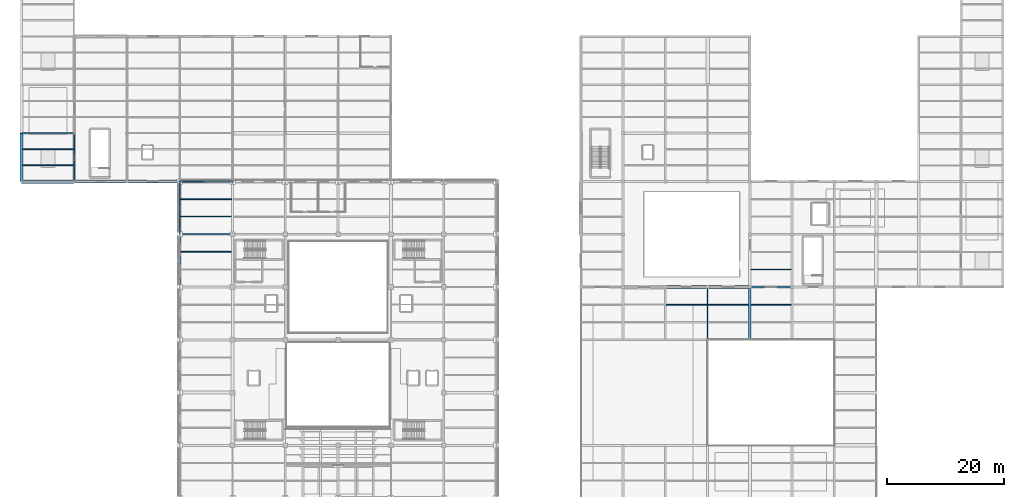
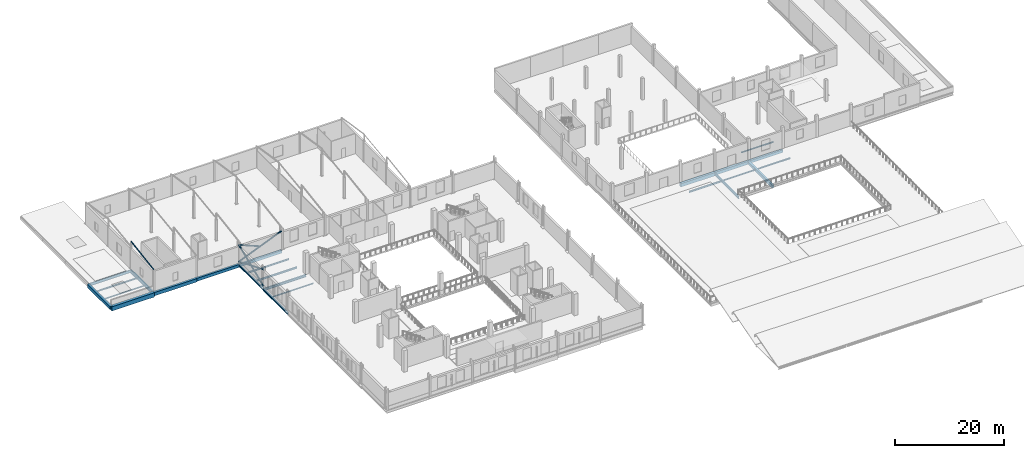
# One storey, part 11 of 54: 24 beams, 6 members.
"""IFC4 building model written with IfcOpenShell, lengths in metres."""

from ifc_helpers import new_model, si_unit, direction, frame, origin, origin_2d, place, context, subcontext, project, spatial, rectangle, hollow_rectangle, hollow_circle, i_section, extrude, material, material_profile, profile_set, type_object, element, save


model = new_model("IFC4")

# Units and contexts
model_context = context("Model", 3, precision=1e-05, world=origin(), true_north=direction((0.0, 1.0)))
body_context = subcontext(model_context, "Body", "Model", "MODEL_VIEW")
ifc_project = project(units=[si_unit("LENGTHUNIT", "METRE"), si_unit("AREAUNIT", "SQUARE_METRE"), si_unit("VOLUMEUNIT", "CUBIC_METRE"), si_unit("PLANEANGLEUNIT", "RADIAN"), si_unit("MASSUNIT", "GRAM", prefix="KILO")], contexts=[model_context])

# Site, building, storey
site_placement = place(None, origin())
site = spatial("IfcSite", under=ifc_project, at=site_placement, CompositionType="ELEMENT")
building_placement = place(site_placement, origin())
building = spatial("IfcBuilding", under=site, at=building_placement, Name="Sundgate Opera House", CompositionType="ELEMENT")
storey_placement = place(building_placement, frame((0.0, 0.0, 16.800048828125)))
storey = spatial("IfcBuildingStorey", under=building, at=storey_placement, Name="L03", CompositionType="ELEMENT", Elevation=16.800048828125)

# Beams
ifc_material_1 = material(Name="Steel S355J2", Category="steel")
ifc_material_profile_1 = material_profile(ifc_material_1, i_section(OverallWidth=0.300048828125, OverallDepth=0.35009765625, WebThickness=0.010009765625, FlangeThickness=0.017578125, at=origin_2d()), Name="HEA 360")
ifc_profile_set_1 = profile_set([ifc_material_profile_1], Name="Steel S355J2")
beam_type_1 = type_object("IfcBeamType", Name="BM-GR-HEA360", PredefinedType="BEAM", material=ifc_profile_set_1)
beam_1_placement = place(storey_placement, frame((27.0, 78.0, -0.455078125), z_axis=(0.0, 1.0, 0.0), x_axis=(-1.0, 0.0, 0.0)))
element("IfcBeam", 1, at=beam_1_placement, inside=storey, type_object=beam_type_1, Name="L03 Primary N-S Girder B2467", PredefinedType="BEAM", context=body_context, shape_type="SweptSolid", body=[
    extrude(i_section(OverallWidth=0.300048828125, OverallDepth=0.35009765625, WebThickness=0.010009765625, FlangeThickness=0.017578125, at=origin_2d()), origin(), (0.0, 0.0, 1.0), 9.0),
])
ifc_material_2 = material(Name="Steel S355J2", Category="steel")
ifc_material_profile_2 = material_profile(ifc_material_2, i_section(OverallWidth=0.300048828125, OverallDepth=0.389892578125, WebThickness=0.010986328125, FlangeThickness=0.01904296875, at=origin_2d()), Name="HEA 400")
ifc_profile_set_2 = profile_set([ifc_material_profile_2], Name="Steel S355J2")
beam_type_2 = type_object("IfcBeamType", Name="BM-GR-HEA400", PredefinedType="BEAM", material=ifc_profile_set_2)
beam_2_placement = place(storey_placement, frame((27.0, 69.0, -0.47509765625), z_axis=(0.0, 1.0, 0.0), x_axis=(-1.0, 0.0, 0.0)))
element("IfcBeam", 2, at=beam_2_placement, inside=storey, type_object=beam_type_2, Name="L03 Primary N-S Girder B2466", PredefinedType="BEAM", context=body_context, shape_type="SweptSolid", body=[
    extrude(i_section(OverallWidth=0.300048828125, OverallDepth=0.389892578125, WebThickness=0.010986328125, FlangeThickness=0.01904296875, at=origin_2d()), origin(), (0.0, 0.0, 1.0), 9.0),
])
ifc_material_3 = material(Name="Steel S355J2", Category="steel")
ifc_material_profile_3 = material_profile(ifc_material_3, i_section(OverallWidth=0.300048828125, OverallDepth=0.5, WebThickness=0.014404296875, FlangeThickness=0.028076171875, at=origin_2d()), Name="HEB 500")
ifc_profile_set_3 = profile_set([ifc_material_profile_3], Name="Steel S355J2")
beam_type_3 = type_object("IfcBeamType", Name="BM-GR-HEB500", PredefinedType="BEAM", material=ifc_profile_set_3)
beam_3_placement = place(storey_placement, frame((27.0, 78.0, -0.530029296875), z_axis=(1.0, 0.0, 0.0), x_axis=(0.0, 1.0, 0.0)))
element("IfcBeam", 3, at=beam_3_placement, inside=storey, type_object=beam_type_3, Name="L03 Primary E-W Girder B2635", PredefinedType="BEAM", context=body_context, shape_type="SweptSolid", body=[
    extrude(i_section(OverallWidth=0.300048828125, OverallDepth=0.5, WebThickness=0.014404296875, FlangeThickness=0.028076171875, at=origin_2d()), origin(), (0.0, 0.0, 1.0), 9.0),
])
ifc_material_4 = material(Name="Steel S355J2", Category="steel")
ifc_material_profile_4 = material_profile(ifc_material_4, i_section(OverallWidth=0.300048828125, OverallDepth=0.699951171875, WebThickness=0.01708984375, FlangeThickness=0.031982421875, at=origin_2d()), Name="HEB 700")
ifc_profile_set_4 = profile_set([ifc_material_profile_4], Name="Steel S355J2")
beam_type_4 = type_object("IfcBeamType", Name="BM-GR-HEB700", PredefinedType="BEAM", material=ifc_profile_set_4)
beam_4_placement = place(storey_placement, frame((9.0, 87.0, -0.590087890625), z_axis=(0.0, 1.0, 0.0), x_axis=(-1.0, 0.0, 0.0)))
element("IfcBeam", 4, at=beam_4_placement, inside=storey, type_object=beam_type_4, Name="L03 Primary N-S Girder B2455", PredefinedType="BEAM", context=body_context, shape_type="SweptSolid", body=[
    extrude(i_section(OverallWidth=0.300048828125, OverallDepth=0.699951171875, WebThickness=0.01708984375, FlangeThickness=0.031982421875, at=origin_2d()), origin(), (0.0, 0.0, 1.0), 8.25),
])
ifc_material_5 = material(Name="Steel S355J2", Category="steel")
ifc_material_profile_5 = material_profile(ifc_material_5, i_section(OverallWidth=0.219970703125, OverallDepth=0.60009765625, WebThickness=0.011962890625, FlangeThickness=0.01904296875, at=origin_2d()), Name="IPE 600")
ifc_profile_set_5 = profile_set([ifc_material_profile_5], Name="Steel S355J2")
beam_type_5 = type_object("IfcBeamType", Name="BM-GR-IPE600", PredefinedType="BEAM", material=ifc_profile_set_5)
for number, where, z_axis, x_axis, name in (
    (5, (117.0, 60.0, -0.610107421875), (0.0, 1.0, 0.0), (-1.0, 0.0, 0.0), "L03 Primary N-S Girder B2535"),
    (6, (0.0, 95.25, -0.530029296875), (1.0, 0.0, 0.0), (0.0, 1.0, 0.0), "L03 Primary E-W Girder B2667"),
):
    element("IfcBeam", number, at=place(storey_placement, frame(where, z_axis=z_axis, x_axis=x_axis)), inside=storey, type_object=beam_type_5, Name=name, PredefinedType="BEAM", context=body_context, shape_type="SweptSolid", body=[
        extrude(i_section(OverallWidth=0.219970703125, OverallDepth=0.60009765625, WebThickness=0.011962890625, FlangeThickness=0.01904296875, at=origin_2d()), origin(), (0.0, 0.0, 1.0), 9.0),
    ])
ifc_material_6 = material(Name="Steel S355J2", Category="steel")
ifc_material_profile_6 = material_profile(ifc_material_6, i_section(OverallWidth=0.1201171875, OverallDepth=0.239990234375, WebThickness=0.006103515625, FlangeThickness=0.009765625, at=origin_2d()), Name="IPE 240")
ifc_profile_set_6 = profile_set([ifc_material_profile_6], Name="Steel S355J2")
beam_type_6 = type_object("IfcBeamType", Name="BM-JS-IPE240", PredefinedType="JOIST", material=ifc_profile_set_6)
beam_5_placement = place(storey_placement, frame((124.425048828125, 66.0, -0.429931640625), z_axis=(1.0, 0.0, 0.0), x_axis=(0.0, 1.0, 0.0)))
element("IfcBeam", 7, at=beam_5_placement, inside=storey, type_object=beam_type_6, Name="L03 Secondary Floor Joist B2761", PredefinedType="JOIST", context=body_context, shape_type="SweptSolid", body=[
    extrude(i_section(OverallWidth=0.1201171875, OverallDepth=0.239990234375, WebThickness=0.006103515625, FlangeThickness=0.009765625, at=origin_2d()), origin(), (0.0, 0.0, 1.0), 6.824951171875),
])
beam_6_placement = place(storey_placement, frame((0.25, 92.5, -0.35009765625), z_axis=(1.0, 0.0, 0.0), x_axis=(0.0, 1.0, 0.0)))
element("IfcBeam", 8, at=beam_6_placement, inside=storey, type_object=beam_type_6, Name="L03 Secondary Floor Joist B2810", PredefinedType="JOIST", context=body_context, shape_type="SweptSolid", body=[
    extrude(i_section(OverallWidth=0.1201171875, OverallDepth=0.239990234375, WebThickness=0.006103515625, FlangeThickness=0.009765625, at=origin_2d()), origin(), (0.0, 0.0, 1.0), 8.60009765625),
])
ifc_material_7 = material(Name="Steel S355J2", Category="steel")
ifc_material_profile_7 = material_profile(ifc_material_7, i_section(OverallWidth=0.135009765625, OverallDepth=0.27001953125, WebThickness=0.006591796875, FlangeThickness=0.01025390625, at=origin_2d()), Name="IPE 270")
ifc_profile_set_7 = profile_set([ifc_material_profile_7], Name="Steel S355J2")
beam_type_7 = type_object("IfcBeamType", Name="BM-JS-IPE270", PredefinedType="JOIST", material=ifc_profile_set_7)
beam_7_placement = place(storey_placement, frame((27.14990234375, 75.0, -0.4150390625), z_axis=(1.0, 0.0, 0.0), x_axis=(0.0, 1.0, 0.0)))
element("IfcBeam", 9, at=beam_7_placement, inside=storey, type_object=beam_type_7, Name="L03 Secondary Floor Joist B2767", PredefinedType="JOIST", context=body_context, shape_type="SweptSolid", body=[
    extrude(i_section(OverallWidth=0.135009765625, OverallDepth=0.27001953125, WebThickness=0.006591796875, FlangeThickness=0.01025390625, at=origin_2d()), origin(), (0.0, 0.0, 1.0), 8.650146484375),
])
beam_8_placement = place(storey_placement, frame((124.39990234375, 72.0, -0.4150390625), z_axis=(1.0, 0.0, 0.0), x_axis=(0.0, 1.0, 0.0)))
element("IfcBeam", 10, at=beam_8_placement, inside=storey, type_object=beam_type_7, Name="L03 Secondary Floor Joist B2774", PredefinedType="JOIST", context=body_context, shape_type="SweptSolid", body=[
    extrude(i_section(OverallWidth=0.135009765625, OverallDepth=0.27001953125, WebThickness=0.006591796875, FlangeThickness=0.01025390625, at=origin_2d()), origin(), (0.0, 0.0, 1.0), 6.85009765625),
])
beam_9_placement = place(storey_placement, frame((0.25, 89.75, -0.364990234375), z_axis=(1.0, 0.0, 0.0), x_axis=(0.0, 1.0, 0.0)))
element("IfcBeam", 11, at=beam_9_placement, inside=storey, type_object=beam_type_7, Name="L03 Secondary Floor Joist B2809", PredefinedType="JOIST", context=body_context, shape_type="SweptSolid", body=[
    extrude(i_section(OverallWidth=0.135009765625, OverallDepth=0.27001953125, WebThickness=0.006591796875, FlangeThickness=0.01025390625, at=origin_2d()), origin(), (0.0, 0.0, 1.0), 8.60009765625),
])
ifc_material_8 = material(Name="Steel S355J2", Category="steel")
ifc_material_profile_8 = material_profile(ifc_material_8, i_section(OverallWidth=0.14990234375, OverallDepth=0.300048828125, WebThickness=0.007080078125, FlangeThickness=0.0107421875, at=origin_2d()), Name="IPE 300")
ifc_profile_set_8 = profile_set([ifc_material_profile_8], Name="Steel S355J2")
beam_type_8 = type_object("IfcBeamType", Name="BM-JS-IPE300", PredefinedType="JOIST", material=ifc_profile_set_8)
beam_10_placement = place(storey_placement, frame((117.110107421875, 66.0, -0.4599609375), z_axis=(1.0, 0.0, 0.0), x_axis=(0.0, 1.0, 0.0)))
element("IfcBeam", 12, at=beam_10_placement, inside=storey, type_object=beam_type_8, Name="L03 Secondary Floor Joist B2759", PredefinedType="JOIST", context=body_context, shape_type="SweptSolid", body=[
    extrude(i_section(OverallWidth=0.14990234375, OverallDepth=0.300048828125, WebThickness=0.007080078125, FlangeThickness=0.0107421875, at=origin_2d()), origin(), (0.0, 0.0, 1.0), 6.864990234375),
])
ifc_material_9 = material(Name="Steel S355J2", Category="steel")
ifc_material_profile_9 = material_profile(ifc_material_9, i_section(OverallWidth=0.169921875, OverallDepth=0.360107421875, WebThickness=0.008056640625, FlangeThickness=0.0126953125, at=origin_2d()), Name="IPE 360")
ifc_profile_set_9 = profile_set([ifc_material_profile_9], Name="Steel S355J2")
beam_type_9 = type_object("IfcBeamType", Name="BM-JS-IPE360", PredefinedType="JOIST", material=ifc_profile_set_9)
beam_11_placement = place(storey_placement, frame((109.949951171875, 66.0, -0.489990234375), z_axis=(1.0, 0.0, 0.0), x_axis=(0.0, 1.0, 0.0)))
element("IfcBeam", 13, at=beam_11_placement, inside=storey, type_object=beam_type_9, Name="L03 Secondary Floor Joist B2757", PredefinedType="JOIST", context=body_context, shape_type="SweptSolid", body=[
    extrude(i_section(OverallWidth=0.169921875, OverallDepth=0.360107421875, WebThickness=0.008056640625, FlangeThickness=0.0126953125, at=origin_2d()), origin(), (0.0, 0.0, 1.0), 6.93994140625),
])
beam_12_placement = place(storey_placement, frame((27.14990234375, 84.0, -0.4599609375), z_axis=(1.0, 0.0, 0.0), x_axis=(0.0, 1.0, 0.0)))
element("IfcBeam", 14, at=beam_12_placement, inside=storey, type_object=beam_type_9, Name="L03 Secondary Floor Joist B2785", PredefinedType="JOIST", context=body_context, shape_type="SweptSolid", body=[
    extrude(i_section(OverallWidth=0.169921875, OverallDepth=0.360107421875, WebThickness=0.008056640625, FlangeThickness=0.0126953125, at=origin_2d()), origin(), (0.0, 0.0, 1.0), 8.675048828125),
])
ifc_material_10 = material(Name="Steel S355J2", Category="steel")
ifc_material_profile_10 = material_profile(ifc_material_10, i_section(OverallWidth=0.179931640625, OverallDepth=0.39990234375, WebThickness=0.008544921875, FlangeThickness=0.013427734375, at=origin_2d()), Name="IPE 400")
ifc_profile_set_10 = profile_set([ifc_material_profile_10], Name="Steel S355J2")
beam_type_10 = type_object("IfcBeamType", Name="BM-JS-IPE400", PredefinedType="JOIST", material=ifc_profile_set_10)
beam_13_placement = place(storey_placement, frame((27.14990234375, 81.0, -0.47998046875), z_axis=(1.0, 0.0, 0.0), x_axis=(0.0, 1.0, 0.0)))
element("IfcBeam", 15, at=beam_13_placement, inside=storey, type_object=beam_type_10, Name="L03 Secondary Floor Joist B2784", PredefinedType="JOIST", context=body_context, shape_type="SweptSolid", body=[
    extrude(i_section(OverallWidth=0.179931640625, OverallDepth=0.39990234375, WebThickness=0.008544921875, FlangeThickness=0.013427734375, at=origin_2d()), origin(), (0.0, 0.0, 1.0), 8.675048828125),
])
ifc_material_11 = material(Name="Concrete C35/45", Category="concrete")
ifc_material_profile_11 = material_profile(ifc_material_11, rectangle(XDim=0.39990234375, YDim=0.60009765625, at=origin_2d()), Name="RC 400x600")
ifc_profile_set_11 = profile_set([ifc_material_profile_11], Name="Concrete C35/45")
beam_type_11 = type_object("IfcBeamType", Name="BM-RC-400x600", PredefinedType="BEAM", material=ifc_profile_set_11)
beam_14_placement = place(storey_placement, frame((124.199951171875, 69.0, -0.610107421875), z_axis=(1.0, 0.0, 0.0), x_axis=(0.0, 1.0, 0.0)))
element("IfcBeam", 16, at=beam_14_placement, inside=storey, type_object=beam_type_11, Name="L03 Primary E-W Girder B2629", PredefinedType="BEAM", context=body_context, shape_type="SweptSolid", body=[
    extrude(rectangle(XDim=0.39990234375, YDim=0.60009765625, at=origin_2d()), origin(), (0.0, 0.0, 1.0), 7.199951171875),
])
beam_15_placement = place(storey_placement, frame((27.0, 87.0, -0.580078125), z_axis=(1.0, 0.0, 0.0), x_axis=(0.0, 1.0, 0.0)))
element("IfcBeam", 17, at=beam_15_placement, inside=storey, type_object=beam_type_11, Name="L03 Primary E-W Girder B2651", PredefinedType="BEAM", context=body_context, shape_type="SweptSolid", body=[
    extrude(rectangle(XDim=0.39990234375, YDim=0.60009765625, at=origin_2d()), origin(), (0.0, 0.0, 1.0), 9.0),
])
ifc_material_12 = material(Name="Concrete C35/45", Category="concrete")
ifc_material_profile_12 = material_profile(ifc_material_12, rectangle(XDim=0.449951171875, YDim=0.64990234375, at=origin_2d()), Name="RC 450x650")
ifc_profile_set_12 = profile_set([ifc_material_profile_12], Name="Concrete C35/45")
beam_type_12 = type_object("IfcBeamType", Name="BM-RC-450x650", PredefinedType="BEAM", material=ifc_profile_set_12)
beam_16_placement = place(storey_placement, frame((124.199951171875, 60.0, -0.635009765625), z_axis=(0.0, 1.0, 0.0), x_axis=(-1.0, 0.0, 0.0)))
element("IfcBeam", 18, at=beam_16_placement, inside=storey, type_object=beam_type_12, Name="L03 Primary N-S Girder B2540", PredefinedType="BEAM", context=body_context, shape_type="SweptSolid", body=[
    extrude(rectangle(XDim=0.449951171875, YDim=0.64990234375, at=origin_2d()), origin(), (0.0, 0.0, 1.0), 9.0),
])
beam_17_placement = place(storey_placement, frame((117.0, 69.0, -0.635009765625), z_axis=(1.0, 0.0, 0.0), x_axis=(0.0, 1.0, 0.0)))
element("IfcBeam", 19, at=beam_17_placement, inside=storey, type_object=beam_type_12, Name="L03 Primary E-W Girder B2628", PredefinedType="BEAM", context=body_context, shape_type="SweptSolid", body=[
    extrude(rectangle(XDim=0.449951171875, YDim=0.64990234375, at=origin_2d()), origin(), (0.0, 0.0, 1.0), 7.199951171875),
])
beam_18_placement = place(storey_placement, frame((18.0, 87.0, -0.56494140625), z_axis=(1.0, 0.0, 0.0), x_axis=(0.0, 1.0, 0.0)))
element("IfcBeam", 20, at=beam_18_placement, inside=storey, type_object=beam_type_12, Name="L03 Primary E-W Girder B2650", PredefinedType="BEAM", context=body_context, shape_type="SweptSolid", body=[
    extrude(rectangle(XDim=0.449951171875, YDim=0.64990234375, at=origin_2d()), origin(), (0.0, 0.0, 1.0), 9.0),
])
ifc_material_13 = material(Name="Concrete C40/50", Category="concrete")
ifc_material_profile_13 = material_profile(ifc_material_13, rectangle(XDim=0.5, YDim=0.75, at=origin_2d()), Name="RC 500x750")
ifc_profile_set_13 = profile_set([ifc_material_profile_13], Name="Concrete C40/50")
beam_type_13 = type_object("IfcBeamType", Name="BM-RC-500x750", PredefinedType="BEAM", material=ifc_profile_set_13)
beam_19_placement = place(storey_placement, frame((0.0, 87.0, -0.60498046875), z_axis=(0.0, 1.0, 0.0), x_axis=(-1.0, 0.0, 0.0)))
element("IfcBeam", 21, at=beam_19_placement, inside=storey, type_object=beam_type_13, Name="L03 Primary N-S Girder B2451", PredefinedType="BEAM", context=body_context, shape_type="SweptSolid", body=[
    extrude(rectangle(XDim=0.5, YDim=0.75, at=origin_2d()), origin(), (0.0, 0.0, 1.0), 8.25),
])
beam_20_placement = place(storey_placement, frame((109.800048828125, 69.0, -0.68505859375), z_axis=(1.0, 0.0, 0.0), x_axis=(0.0, 1.0, 0.0)))
element("IfcBeam", 22, at=beam_20_placement, inside=storey, type_object=beam_type_13, Name="L03 Primary E-W Girder B2627", PredefinedType="BEAM", context=body_context, shape_type="SweptSolid", body=[
    extrude(rectangle(XDim=0.5, YDim=0.75, at=origin_2d()), origin(), (0.0, 0.0, 1.0), 7.199951171875),
])
beam_21_placement = place(storey_placement, frame((9.0, 87.0, -0.614990234375), z_axis=(1.0, 0.0, 0.0), x_axis=(0.0, 1.0, 0.0)))
element("IfcBeam", 23, at=beam_21_placement, inside=storey, type_object=beam_type_13, Name="L03 Primary E-W Girder B2649", PredefinedType="BEAM", context=body_context, shape_type="SweptSolid", body=[
    extrude(rectangle(XDim=0.5, YDim=0.75, at=origin_2d()), origin(), (0.0, 0.0, 1.0), 9.0),
])
ifc_material_14 = material(Name="Concrete C40/50", Category="concrete")
ifc_material_profile_14 = material_profile(ifc_material_14, rectangle(XDim=0.60009765625, YDim=0.949951171875, at=origin_2d()), Name="RC 600x950")
ifc_profile_set_14 = profile_set([ifc_material_profile_14], Name="Concrete C40/50")
beam_type_14 = type_object("IfcBeamType", Name="BM-RC-600x950", PredefinedType="BEAM", material=ifc_profile_set_14)
beam_22_placement = place(storey_placement, frame((0.0, 87.0, -0.705078125), z_axis=(1.0, 0.0, 0.0), x_axis=(0.0, 1.0, 0.0)))
element("IfcBeam", 24, at=beam_22_placement, inside=storey, type_object=beam_type_14, Name="L03 Primary E-W Girder B2648", PredefinedType="BEAM", context=body_context, shape_type="SweptSolid", body=[
    extrude(rectangle(XDim=0.60009765625, YDim=0.949951171875, at=origin_2d()), origin(), (0.0, 0.0, 1.0), 9.0),
])

# Members
ifc_material_15 = material(Name="Steel S355J2", Category="steel")
ifc_material_profile_15 = material_profile(ifc_material_15, hollow_circle(Radius=0.161865234375, WallThickness=0.01611328125, at=origin_2d()), Name="CHS 323.9x16.0")
ifc_profile_set_15 = profile_set([ifc_material_profile_15], Name="Steel S355J2")
member_type_1 = type_object("IfcMemberType", Name="MB-BRC-CHS324", PredefinedType="BRACE", material=ifc_profile_set_15)
member_1_placement = place(storey_placement, frame((27.0, 87.0, 0.25), z_axis=(0.924892546912, 0.0, 0.380228584756), x_axis=(0.0, 1.0, 0.0)))
element("IfcMember", 25, at=member_1_placement, inside=storey, type_object=member_type_1, Name="L03 Belt-Truss Continuous Diagonal M0021", PredefinedType="BRACE", context=body_context, shape_type="SweptSolid", body=[
    extrude(hollow_circle(Radius=0.161865234375, WallThickness=0.01611328125, at=origin_2d()), origin(), (0.0, 0.0, 1.0), 9.73095703125),
])
member_2_placement = place(storey_placement, frame((31.35205078125, 87.0, 2.16064453125), z_axis=(-0.924881050669, 0.0, 0.380256547759), x_axis=(0.0, -1.0, 0.0)))
element("IfcMember", 26, at=member_2_placement, inside=storey, type_object=member_type_1, Name="L03 Belt-Truss Upper Half Diagonal MS011", PredefinedType="BRACE", context=body_context, shape_type="SweptSolid", body=[
    extrude(hollow_circle(Radius=0.161865234375, WallThickness=0.01611328125, at=origin_2d()), origin(), (0.0, 0.0, 1.0), 4.70556640625),
])
member_3_placement = place(storey_placement, frame((27.0, 78.0, 0.25), z_axis=(0.0, 0.924892546912, 0.380228584756), x_axis=(-1.0, 0.0, 0.0)))
element("IfcMember", 27, at=member_3_placement, inside=storey, type_object=member_type_1, Name="L03 Belt-Truss Continuous Diagonal M0027", PredefinedType="BRACE", context=body_context, shape_type="SweptSolid", body=[
    extrude(hollow_circle(Radius=0.161865234375, WallThickness=0.01611328125, at=origin_2d()), origin(), (0.0, 0.0, 1.0), 9.73095703125),
])
member_4_placement = place(storey_placement, frame((27.0, 87.0, 0.25), z_axis=(0.0, -0.924899297094, 0.380212164765), x_axis=(1.0, 0.0, 0.0)))
element("IfcMember", 28, at=member_4_placement, inside=storey, type_object=member_type_1, Name="L03 Belt-Truss Lower Half Diagonal M0028", PredefinedType="BRACE", context=body_context, shape_type="SweptSolid", body=[
    extrude(hollow_circle(Radius=0.161865234375, WallThickness=0.01611328125, at=origin_2d()), origin(), (0.0, 0.0, 1.0), 4.705322265625),
])
member_5_placement = place(storey_placement, frame((27.0, 82.35205078125, 2.16064453125), z_axis=(0.0, -0.924881050669, 0.380256547759), x_axis=(1.0, 0.0, 0.0)))
element("IfcMember", 29, at=member_5_placement, inside=storey, type_object=member_type_1, Name="L03 Belt-Truss Upper Half Diagonal MS014", PredefinedType="BRACE", context=body_context, shape_type="SweptSolid", body=[
    extrude(hollow_circle(Radius=0.161865234375, WallThickness=0.01611328125, at=origin_2d()), origin(), (0.0, 0.0, 1.0), 4.70556640625),
])
ifc_material_16 = material(Name="Steel S355J2", Category="steel")
ifc_material_profile_16 = material_profile(ifc_material_16, hollow_rectangle(XDim=0.1201171875, YDim=0.219970703125, WallThickness=0.010009765625, at=origin_2d()), Name="RHS 220x120x10.0")
ifc_profile_set_16 = profile_set([ifc_material_profile_16], Name="Steel S355J2")
member_type_2 = type_object("IfcMemberType", Name="MB-CHORD-RHS220", PredefinedType="CHORD", material=ifc_profile_set_16)
member_6_placement = place(storey_placement, frame((9.0, 87.0, 4.780029296875), z_axis=(0.0, 0.988357491869, 0.152149493155), x_axis=(-1.0, 0.0, 0.0)))
element("IfcMember", 30, at=member_6_placement, inside=storey, type_object=member_type_2, Name="Atelier Roof Rafter M0458", PredefinedType="CHORD", context=body_context, shape_type="SweptSolid", body=[
    extrude(hollow_rectangle(XDim=0.1201171875, YDim=0.219970703125, WallThickness=0.010009765625, at=origin_2d()), origin(), (0.0, 0.0, 1.0), 8.34716796875),
])

save(model, "model.ifc")
